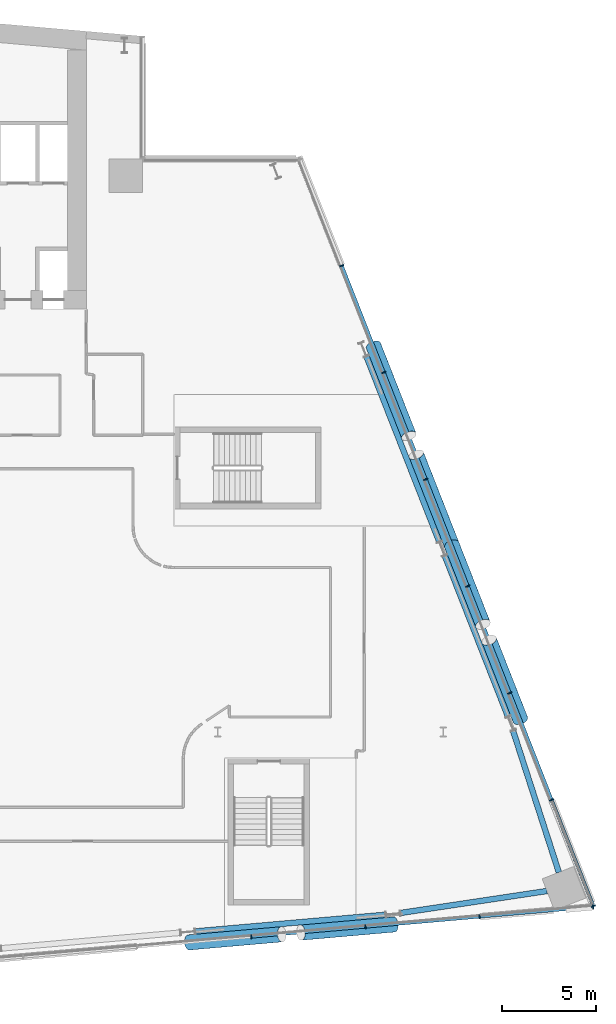
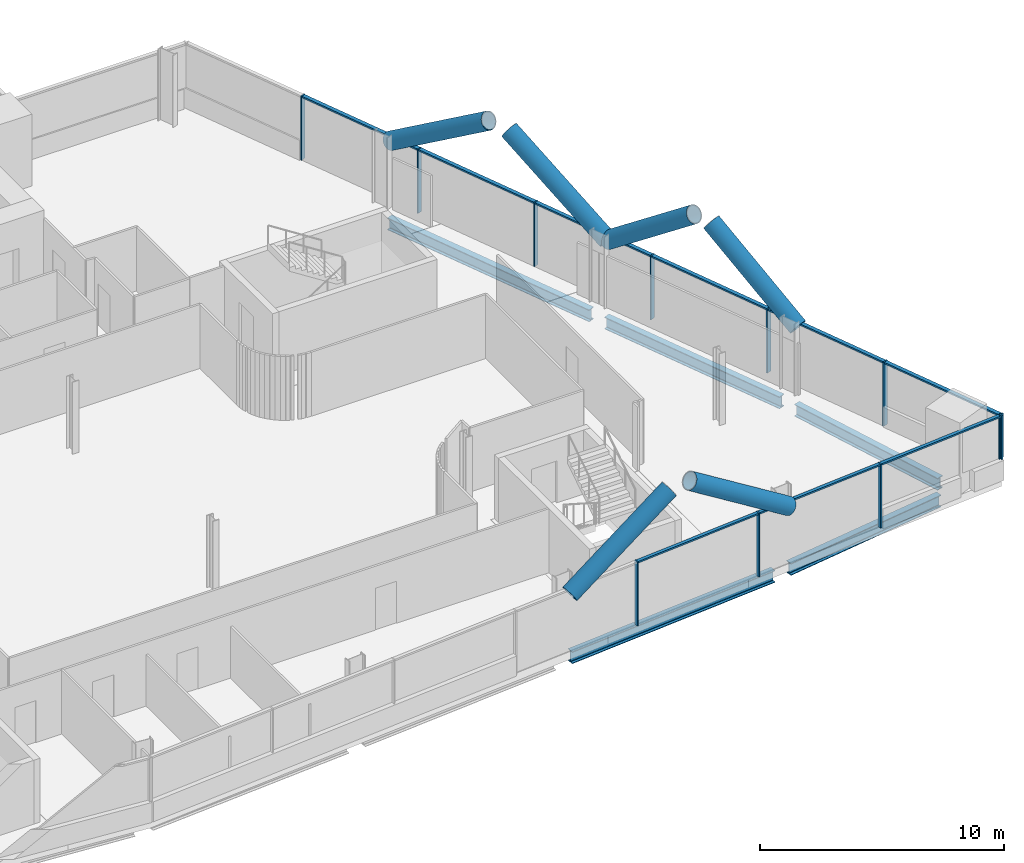
# One storey, part 10 of 30: 26 members, 5 beams, 2 elements without a shape of their own.
"""IFC4 building model written with IfcOpenShell, lengths in metres."""

from ifc_helpers import new_model, si_unit, direction, frame, origin, origin_2d, place, context, subcontext, project, spatial, rectangle, hollow_circle, i_section, extrude, material, material_profile, profile_set, type_object, element, aggregate, save


model = new_model("IFC4")

# Units and contexts
model_context = context("Model", 3, precision=1e-05, world=origin(), true_north=direction((0.0, 1.0)))
body_context = subcontext(model_context, "Body", "Model", "MODEL_VIEW")
ifc_project = project(units=[si_unit("LENGTHUNIT", "METRE"), si_unit("AREAUNIT", "SQUARE_METRE"), si_unit("VOLUMEUNIT", "CUBIC_METRE"), si_unit("PLANEANGLEUNIT", "RADIAN"), si_unit("MASSUNIT", "GRAM", prefix="KILO")], contexts=[model_context])

# Site, building, storey
site_placement = place(None, origin())
site = spatial("IfcSite", under=ifc_project, at=site_placement, CompositionType="ELEMENT")
building_placement = place(site_placement, origin())
building = spatial("IfcBuilding", under=site, at=building_placement, Name="Wharfspan Tower", CompositionType="ELEMENT")
storey_placement = place(building_placement, frame((0.0, 0.0, 100.300049)))
storey = spatial("IfcBuildingStorey", under=building, at=storey_placement, Name="L22", CompositionType="ELEMENT", Elevation=100.300049)

# Beams
ifc_material_1 = material(Name="Steel S355J2", Category="steel")
ifc_material_profile_1 = material_profile(ifc_material_1, i_section(OverallWidth=0.300049, OverallDepth=0.600098, WebThickness=0.015381, FlangeThickness=0.030029, FilletRadius=0.0271, at=origin_2d()))
ifc_profile_set_1 = profile_set([ifc_material_profile_1], Name="Steel S355J2")
beam_type = type_object("IfcBeamType", Name="Edge beam HEB 600", PredefinedType="SPANDREL", material=ifc_profile_set_1)
beam_1_placement = place(storey_placement, frame((70.805664, 0.887695, -0.699951), z_axis=(0.996194, 0.087159, 0.0), x_axis=(-0.087159, 0.996194, 0.0)))
element("IfcBeam", 1, at=beam_1_placement, inside=storey, type_object=beam_type, Name="Edge beam S2 L22 PS2.2 to PS2.3", PredefinedType="SPANDREL", context=body_context, shape_type="SweptSolid", body=[
    extrude(i_section(OverallWidth=0.300049, OverallDepth=0.600098, WebThickness=0.015381, FlangeThickness=0.030029, FilletRadius=0.0271, at=origin_2d()), origin(), (0.0, 0.0, 1.0), 10.159424),
])
beam_2_placement = place(storey_placement, frame((81.727295, 1.868408, -0.699951), z_axis=(0.988926, 0.148412, 0.0), x_axis=(-0.148412, 0.988926, 0.0)))
element("IfcBeam", 2, at=beam_2_placement, inside=storey, type_object=beam_type, Name="Edge beam S2 L22 PS2.3 to MC4", PredefinedType="SPANDREL", context=body_context, shape_type="SweptSolid", body=[
    extrude(i_section(OverallWidth=0.300049, OverallDepth=0.600098, WebThickness=0.015381, FlangeThickness=0.030029, FilletRadius=0.0271, at=origin_2d()), origin(), (0.0, 0.0, 1.0), 7.87793),
])
beam_3_placement = place(storey_placement, frame((90.150879, 4.02832, -0.699951), z_axis=(-0.307851, 0.951434, 0.0), x_axis=(-0.951434, -0.307851, 0.0)))
element("IfcBeam", 3, at=beam_3_placement, inside=storey, type_object=beam_type, Name="Edge beam E L22 MC4 to PE.1", PredefinedType="SPANDREL", context=body_context, shape_type="SweptSolid", body=[
    extrude(i_section(OverallWidth=0.300049, OverallDepth=0.600098, WebThickness=0.015381, FlangeThickness=0.030029, FilletRadius=0.0271, at=origin_2d()), origin(), (0.0, 0.0, 1.0), 7.924805),
])
beam_4_placement = place(storey_placement, frame((87.439453, 12.327637, -0.699951), z_axis=(-0.365779, 0.930702, 0.0), x_axis=(-0.930702, -0.365779, 0.0)))
element("IfcBeam", 4, at=beam_4_placement, inside=storey, type_object=beam_type, Name="Edge beam E L22 PE.1 to PE.2", PredefinedType="SPANDREL", context=body_context, shape_type="SweptSolid", body=[
    extrude(i_section(OverallWidth=0.300049, OverallDepth=0.600098, WebThickness=0.015381, FlangeThickness=0.030029, FilletRadius=0.0271, at=origin_2d()), origin(), (0.0, 0.0, 1.0), 9.184814),
])
beam_5_placement = place(storey_placement, frame((83.785156, 21.625977, -0.699951), z_axis=(-0.365789, 0.930698, 0.0), x_axis=(-0.930698, -0.365789, 0.0)))
element("IfcBeam", 5, at=beam_5_placement, inside=storey, type_object=beam_type, Name="Edge beam E L22 PE.2 to PE.3", PredefinedType="SPANDREL", context=body_context, shape_type="SweptSolid", body=[
    extrude(i_section(OverallWidth=0.300049, OverallDepth=0.600098, WebThickness=0.015381, FlangeThickness=0.030029, FilletRadius=0.0271, at=origin_2d()), origin(), (0.0, 0.0, 1.0), 10.584961),
])

# Curtain wall, members
ifc_material_2 = material(Name="Aluminium 6063-T6", Category="aluminium")
curtain_wall_type_1 = type_object("IfcCurtainWallType", Name="CURTAIN WALL FACETED FRONT", PredefinedType="NOTDEFINED", material=ifc_material_2)
curtain_wall_1_placement = place(storey_placement, origin())
curtain_wall_1 = element("IfcCurtainWall", 6, at=curtain_wall_1_placement, inside=storey, type_object=curtain_wall_type_1, Name="Curtain wall S2", PredefinedType="NOTDEFINED")
ifc_material_profile_2 = material_profile(ifc_material_2, rectangle(XDim=0.199951, YDim=0.060059, at=origin_2d()))
ifc_profile_set_2 = profile_set([ifc_material_profile_2], Name="Aluminium 6063-T6")
member_type_1 = type_object("IfcMemberType", Name="MULLION FACETED FRONT 60x200", PredefinedType="MULLION", material=ifc_profile_set_2)
member_1_placement = place(storey_placement, frame((73.785645, 0.606445, 0.0), z_axis=(0.0, 0.0, 1.0), x_axis=(-0.087156, 0.996198, 0.0)))
member_1 = element("IfcMember", 7, at=member_1_placement, type_object=member_type_1, Name="Curtain wall S2 mullion 5", PredefinedType="MULLION", context=body_context, shape_type="SweptSolid", body=[
    extrude(rectangle(XDim=0.199951, YDim=0.060059, at=origin_2d()), origin(), (0.0, 0.0, 1.0), 3.199951),
])
member_2_placement = place(storey_placement, frame((79.857178, 1.137695, 0.0), z_axis=(0.0, 0.0, 1.0), x_axis=(-0.087156, 0.996198, 0.0)))
member_2 = element("IfcMember", 8, at=member_2_placement, type_object=member_type_1, Name="Curtain wall S2 mullion 6", PredefinedType="MULLION", context=body_context, shape_type="SweptSolid", body=[
    extrude(rectangle(XDim=0.199951, YDim=0.060059, at=origin_2d()), origin(), (0.0, 0.0, 1.0), 3.199951),
])
member_3_placement = place(storey_placement, frame((85.928467, 1.668701, 0.0), z_axis=(0.0, 0.0, 1.0), x_axis=(-0.087156, 0.996198, 0.0)))
member_3 = element("IfcMember", 9, at=member_3_placement, type_object=member_type_1, Name="Curtain wall S2 mullion 7", PredefinedType="MULLION", context=body_context, shape_type="SweptSolid", body=[
    extrude(rectangle(XDim=0.199951, YDim=0.060059, at=origin_2d()), origin(), (0.0, 0.0, 1.0), 3.199951),
])
member_4_placement = place(storey_placement, frame((91.970215, 2.197266, 1.0), z_axis=(0.0, 0.0, 1.0), x_axis=(-0.087156, 0.996198, 0.0)))
member_4 = element("IfcMember", 10, at=member_4_placement, type_object=member_type_1, Name="Curtain wall S2 mullion 8", PredefinedType="MULLION", context=body_context, shape_type="SweptSolid", body=[
    extrude(rectangle(XDim=0.199951, YDim=0.060059, at=origin_2d()), origin(), (0.0, 0.0, 1.0), 2.199951),
])

curtain_wall_type_2 = type_object("IfcCurtainWallType", Name="CURTAIN WALL PROW AND END", PredefinedType="NOTDEFINED", material=ifc_material_2)
curtain_wall_2_placement = place(storey_placement, origin())
curtain_wall_2 = element("IfcCurtainWall", 11, at=curtain_wall_2_placement, inside=storey, type_object=curtain_wall_type_2, Name="Curtain wall E", PredefinedType="NOTDEFINED")
ifc_material_profile_3 = material_profile(ifc_material_2, rectangle(XDim=0.23999, YDim=0.060059, at=origin_2d()))
ifc_profile_set_3 = profile_set([ifc_material_profile_3], Name="Aluminium 6063-T6")
member_type_2 = type_object("IfcMemberType", Name="MULLION PROW AND END 60x240", PredefinedType="MULLION", material=ifc_profile_set_3)
member_5_placement = place(storey_placement, frame((91.989014, 2.228027, 1.0), z_axis=(0.0, 0.0, 1.0), x_axis=(-0.930702, -0.365778, 0.0)))
member_5 = element("IfcMember", 12, at=member_5_placement, type_object=member_type_2, Name="Curtain wall E mullion 1", PredefinedType="MULLION", context=body_context, shape_type="SweptSolid", body=[
    extrude(rectangle(XDim=0.23999, YDim=0.060059, at=origin_2d()), origin(), (0.0, 0.0, 1.0), 2.199951),
])
member_6_placement = place(storey_placement, frame((89.765381, 7.885742, 0.0), z_axis=(0.0, 0.0, 1.0), x_axis=(-0.930702, -0.365778, 0.0)))
member_6 = element("IfcMember", 13, at=member_6_placement, type_object=member_type_2, Name="Curtain wall E mullion 2", PredefinedType="MULLION", context=body_context, shape_type="SweptSolid", body=[
    extrude(rectangle(XDim=0.23999, YDim=0.060059, at=origin_2d()), origin(), (0.0, 0.0, 1.0), 3.199951),
])
member_7_placement = place(storey_placement, frame((87.530762, 13.571533, 0.0), z_axis=(0.0, 0.0, 1.0), x_axis=(-0.930702, -0.365778, 0.0)))
member_7 = element("IfcMember", 14, at=member_7_placement, type_object=member_type_2, Name="Curtain wall E mullion 3", PredefinedType="MULLION", context=body_context, shape_type="SweptSolid", body=[
    extrude(rectangle(XDim=0.23999, YDim=0.060059, at=origin_2d()), origin(), (0.0, 0.0, 1.0), 3.199951),
])
member_8_placement = place(storey_placement, frame((85.296387, 19.25708, 0.0), z_axis=(0.0, 0.0, 1.0), x_axis=(-0.930702, -0.365778, 0.0)))
member_8 = element("IfcMember", 15, at=member_8_placement, type_object=member_type_2, Name="Curtain wall E mullion 4", PredefinedType="MULLION", context=body_context, shape_type="SweptSolid", body=[
    extrude(rectangle(XDim=0.23999, YDim=0.060059, at=origin_2d()), origin(), (0.0, 0.0, 1.0), 3.199951),
])
member_9_placement = place(storey_placement, frame((83.061768, 24.942871, 0.0), z_axis=(0.0, 0.0, 1.0), x_axis=(-0.930702, -0.365778, 0.0)))
member_9 = element("IfcMember", 16, at=member_9_placement, type_object=member_type_2, Name="Curtain wall E mullion 5", PredefinedType="MULLION", context=body_context, shape_type="SweptSolid", body=[
    extrude(rectangle(XDim=0.23999, YDim=0.060059, at=origin_2d()), origin(), (0.0, 0.0, 1.0), 3.199951),
])
member_10_placement = place(storey_placement, frame((80.827148, 30.628662, 0.0), z_axis=(0.0, 0.0, 1.0), x_axis=(-0.930702, -0.365778, 0.0)))
member_10 = element("IfcMember", 17, at=member_10_placement, type_object=member_type_2, Name="Curtain wall E mullion 6", PredefinedType="MULLION", context=body_context, shape_type="SweptSolid", body=[
    extrude(rectangle(XDim=0.23999, YDim=0.060059, at=origin_2d()), origin(), (0.0, 0.0, 1.0), 3.199951),
])
member_11_placement = place(storey_placement, frame((78.592529, 36.314209, 0.0), z_axis=(0.0, 0.0, 1.0), x_axis=(-0.930702, -0.365778, 0.0)))
member_11 = element("IfcMember", 18, at=member_11_placement, type_object=member_type_2, Name="Curtain wall E mullion 7", PredefinedType="MULLION", context=body_context, shape_type="SweptSolid", body=[
    extrude(rectangle(XDim=0.23999, YDim=0.060059, at=origin_2d()), origin(), (0.0, 0.0, 1.0), 3.199951),
])

# Members
ifc_material_3 = material(Name="Steel S460NH", Category="steel")
ifc_material_profile_4 = material_profile(ifc_material_3, hollow_circle(Radius=0.406494, WallThickness=0.040039, at=origin_2d()))
ifc_profile_set_4 = profile_set([ifc_material_profile_4], Name="Steel S460NH")
member_type_3 = type_object("IfcMemberType", Name="Mega brace CHS 813x40", PredefinedType="BRACE", material=ifc_profile_set_4)
member_12_placement = place(storey_placement, frame((70.452393, 0.299805, 2.899902), z_axis=(0.832734, 0.072869, 0.548858), x_axis=(-0.087173, 0.99619, 1e-06)))
element("IfcMember", 19, at=member_12_placement, inside=storey, type_object=member_type_3, Name="Mega brace S2 L23 part 1", PredefinedType="BRACE", context=body_context, shape_type="SweptSolid", body=[
    extrude(hollow_circle(Radius=0.406494, WallThickness=0.040039, at=origin_2d()), origin(), (0.0, 0.0, 1.0), 5.943604),
])
member_13_placement = place(storey_placement, frame((81.376221, 1.255371, 2.899902), z_axis=(-0.832724, -0.07283, 0.548878), x_axis=(0.087128, -0.996197, 1e-06)))
element("IfcMember", 20, at=member_13_placement, inside=storey, type_object=member_type_3, Name="Mega brace S2 L23 part 3", PredefinedType="BRACE", context=body_context, shape_type="SweptSolid", body=[
    extrude(hollow_circle(Radius=0.406494, WallThickness=0.040039, at=origin_2d()), origin(), (0.0, 0.0, 1.0), 5.943359),
])
for number, where, z_axis, x_axis, name in (
    (21, (84.448975, 21.454102, 2.899902), (-0.30918, 0.786702, 0.534329), (-0.930701, -0.36577, -4e-06), "Mega brace E5 L23 part 1"),
    (22, (80.282471, 32.05542, 2.899902), (0.309216, -0.786692, 0.534323), (0.93069, 0.365817, 2e-06), "Mega brace E5 L23 part 3"),
):
    element("IfcMember", number, at=place(storey_placement, frame(where, z_axis=z_axis, x_axis=x_axis)), inside=storey, type_object=member_type_3, Name=name, PredefinedType="BRACE", context=body_context, shape_type="SweptSolid", body=[
        extrude(hollow_circle(Radius=0.406494, WallThickness=0.040039, at=origin_2d()), origin(), (0.0, 0.0, 1.0), 6.098389),
    ])
member_14_placement = place(storey_placement, frame((88.103516, 12.155518, 2.899902), z_axis=(-0.29676, 0.755051, 0.584664), x_axis=(-0.930695, -0.365797, 4e-06)))
element("IfcMember", 23, at=member_14_placement, inside=storey, type_object=member_type_3, Name="Mega brace E6 L23 part 1", PredefinedType="BRACE", context=body_context, shape_type="SweptSolid", body=[
    extrude(hollow_circle(Radius=0.406494, WallThickness=0.040039, at=origin_2d()), origin(), (0.0, 0.0, 1.0), 5.59668),
])
member_15_placement = place(storey_placement, frame((84.448975, 21.454102, 2.899902), z_axis=(0.29675, -0.75507, 0.584645), x_axis=(0.930704, 0.365779, 4e-06)))
element("IfcMember", 24, at=member_15_placement, inside=storey, type_object=member_type_3, Name="Mega brace E6 L23 part 3", PredefinedType="BRACE", context=body_context, shape_type="SweptSolid", body=[
    extrude(hollow_circle(Radius=0.406494, WallThickness=0.040039, at=origin_2d()), origin(), (0.0, 0.0, 1.0), 5.596924),
])

# Member
ifc_material_profile_5 = material_profile(ifc_material_2, rectangle(XDim=0.159912, YDim=0.080078, at=origin_2d()))
ifc_profile_set_5 = profile_set([ifc_material_profile_5], Name="Aluminium 6063-T6")
member_type_4 = type_object("IfcMemberType", Name="TRANSOM FACETED FRONT 80x160", PredefinedType="USERDEFINED", material=ifc_profile_set_5)
member_16_placement = place(storey_placement, frame((73.815674, 0.609131, 3.159912), z_axis=(0.996196, 0.087146, 0.0), x_axis=(-0.087146, 0.996196, 0.0)))
member_16 = element("IfcMember", 25, at=member_16_placement, type_object=member_type_4, Name="Curtain wall S2 transom 5", ObjectType="TRANSOM", PredefinedType="USERDEFINED", context=body_context, shape_type="SweptSolid", body=[
    extrude(rectangle(XDim=0.159912, YDim=0.080078, at=origin_2d()), origin(), (0.0, 0.0, 1.0), 6.034424),
])

member_17_placement = place(storey_placement, frame((79.886963, 1.140137, 3.159912), z_axis=(0.996192, 0.087183, 0.0), x_axis=(-0.087183, 0.996192, 0.0)))
member_17 = element("IfcMember", 26, at=member_17_placement, type_object=member_type_4, Name="Curtain wall S2 transom 6", ObjectType="TRANSOM", PredefinedType="USERDEFINED", context=body_context, shape_type="SweptSolid", body=[
    extrude(rectangle(XDim=0.159912, YDim=0.080078, at=origin_2d()), origin(), (0.0, 0.0, 1.0), 6.034668),
])

member_18_placement = place(storey_placement, frame((85.958496, 1.671387, 3.159912), z_axis=(0.996193, 0.087174, 0.0), x_axis=(-0.087174, 0.996193, 0.0)))
member_18 = element("IfcMember", 27, at=member_18_placement, type_object=member_type_4, Name="Curtain wall S2 transom 7", ObjectType="TRANSOM", PredefinedType="USERDEFINED", context=body_context, shape_type="SweptSolid", body=[
    extrude(rectangle(XDim=0.159912, YDim=0.080078, at=origin_2d()), origin(), (0.0, 0.0, 1.0), 6.004639),
])

aggregate(curtain_wall_1, [member_1, member_2, member_3, member_4, member_16, member_17, member_18])

ifc_material_profile_6 = material_profile(ifc_material_2, rectangle(XDim=0.179932, YDim=0.080078, at=origin_2d()))
ifc_profile_set_6 = profile_set([ifc_material_profile_6], Name="Aluminium 6063-T6")
member_type_5 = type_object("IfcMemberType", Name="TRANSOM PROW AND END 80x180", PredefinedType="USERDEFINED", material=ifc_profile_set_6)
member_19_placement = place(storey_placement, frame((91.978027, 2.255859, 3.159912), z_axis=(-0.365775, 0.930703, 0.0), x_axis=(-0.930703, -0.365775, 0.0)))
member_19 = element("IfcMember", 28, at=member_19_placement, type_object=member_type_5, Name="Curtain wall E transom 1", ObjectType="TRANSOM", PredefinedType="USERDEFINED", context=body_context, shape_type="SweptSolid", body=[
    extrude(rectangle(XDim=0.179932, YDim=0.080078, at=origin_2d()), origin(), (0.0, 0.0, 1.0), 6.019043),
])

member_20_placement = place(storey_placement, frame((89.754395, 7.913574, 3.159912), z_axis=(-0.365782, 0.9307, 0.0), x_axis=(-0.9307, -0.365782, 0.0)))
member_20 = element("IfcMember", 29, at=member_20_placement, type_object=member_type_5, Name="Curtain wall E transom 2", ObjectType="TRANSOM", PredefinedType="USERDEFINED", context=body_context, shape_type="SweptSolid", body=[
    extrude(rectangle(XDim=0.179932, YDim=0.080078, at=origin_2d()), origin(), (0.0, 0.0, 1.0), 6.049072),
])

member_21_placement = place(storey_placement, frame((87.52002, 13.599365, 3.159912), z_axis=(-0.365782, 0.9307, 0.0), x_axis=(-0.9307, -0.365782, 0.0)))
member_21 = element("IfcMember", 30, at=member_21_placement, type_object=member_type_5, Name="Curtain wall E transom 3", ObjectType="TRANSOM", PredefinedType="USERDEFINED", context=body_context, shape_type="SweptSolid", body=[
    extrude(rectangle(XDim=0.179932, YDim=0.080078, at=origin_2d()), origin(), (0.0, 0.0, 1.0), 6.049072),
])

member_22_placement = place(storey_placement, frame((85.2854, 19.285156, 3.159912), z_axis=(-0.365782, 0.9307, 0.0), x_axis=(-0.9307, -0.365782, 0.0)))
member_22 = element("IfcMember", 31, at=member_22_placement, type_object=member_type_5, Name="Curtain wall E transom 4", ObjectType="TRANSOM", PredefinedType="USERDEFINED", context=body_context, shape_type="SweptSolid", body=[
    extrude(rectangle(XDim=0.179932, YDim=0.080078, at=origin_2d()), origin(), (0.0, 0.0, 1.0), 6.049072),
])

member_23_placement = place(storey_placement, frame((83.050781, 24.970703, 3.159912), z_axis=(-0.365782, 0.9307, 0.0), x_axis=(-0.9307, -0.365782, 0.0)))
member_23 = element("IfcMember", 32, at=member_23_placement, type_object=member_type_5, Name="Curtain wall E transom 5", ObjectType="TRANSOM", PredefinedType="USERDEFINED", context=body_context, shape_type="SweptSolid", body=[
    extrude(rectangle(XDim=0.179932, YDim=0.080078, at=origin_2d()), origin(), (0.0, 0.0, 1.0), 6.049072),
])

member_24_placement = place(storey_placement, frame((80.816162, 30.656494, 3.159912), z_axis=(-0.365782, 0.9307, 0.0), x_axis=(-0.9307, -0.365782, 0.0)))
member_24 = element("IfcMember", 33, at=member_24_placement, type_object=member_type_5, Name="Curtain wall E transom 6", ObjectType="TRANSOM", PredefinedType="USERDEFINED", context=body_context, shape_type="SweptSolid", body=[
    extrude(rectangle(XDim=0.179932, YDim=0.080078, at=origin_2d()), origin(), (0.0, 0.0, 1.0), 6.049072),
])

aggregate(curtain_wall_2, [member_5, member_6, member_7, member_8, member_9, member_10, member_11, member_19, member_20, member_21, member_22, member_23, member_24])

save(model, "model.ifc")
